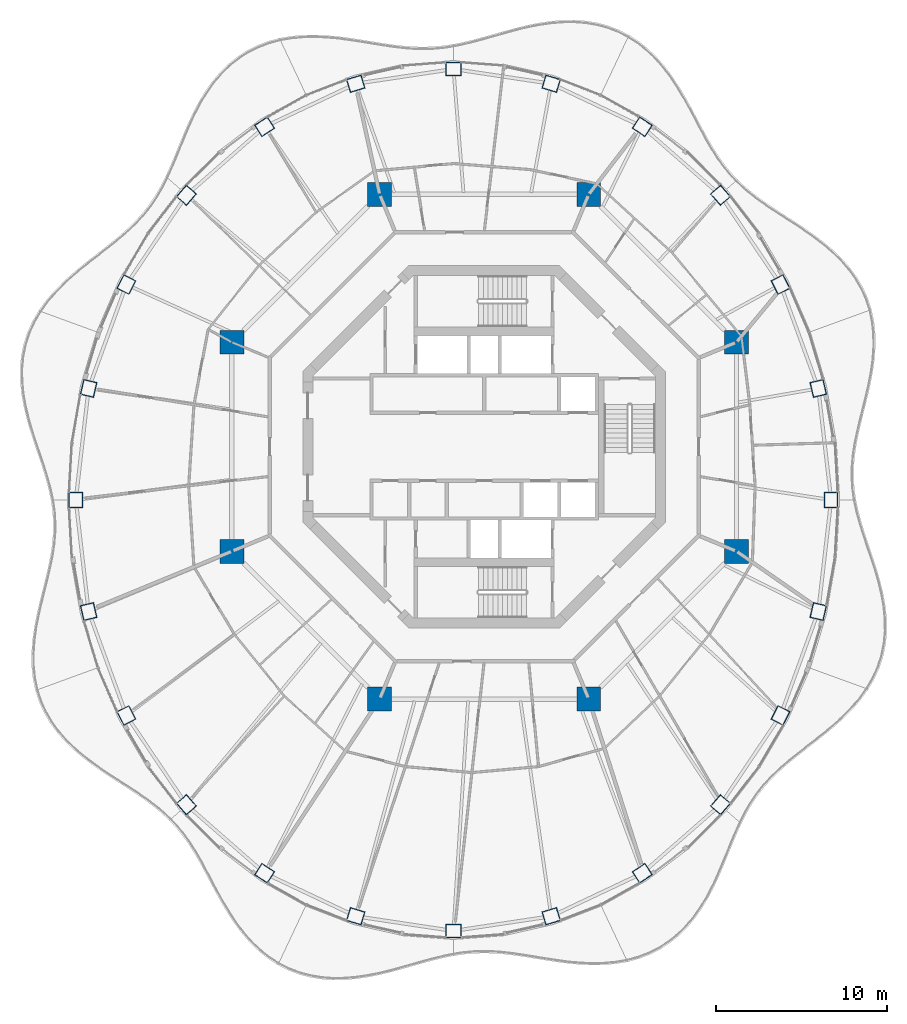
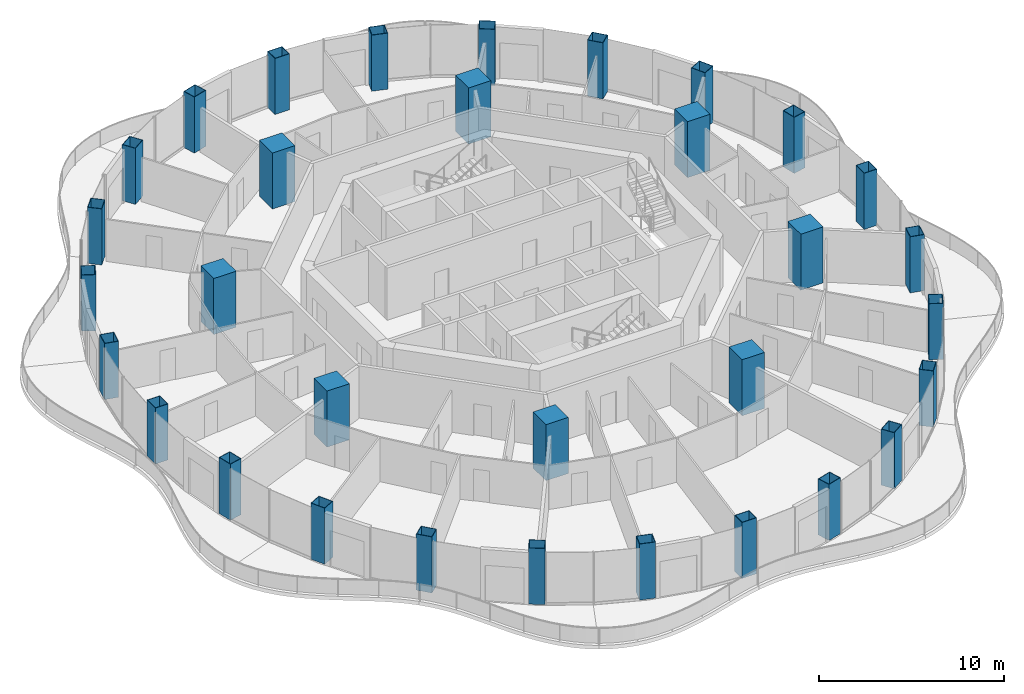
# One storey, part 1 of 17: 32 columns.
"""IFC4 building model written with IfcOpenShell, lengths in metres."""

from ifc_helpers import new_model, si_unit, direction, frame, origin, origin_2d, place, context, subcontext, project, spatial, rectangle, hollow_rectangle, extrude, material, material_profile, profile_set, type_object, element, save


model = new_model("IFC4")

# Units and contexts
model_context = context("Model", 3, precision=1e-05, world=origin(), true_north=direction((0.0, 1.0)))
body_context = subcontext(model_context, "Body", "Model", "MODEL_VIEW")
ifc_project = project(units=[si_unit("LENGTHUNIT", "METRE"), si_unit("AREAUNIT", "SQUARE_METRE"), si_unit("VOLUMEUNIT", "CUBIC_METRE"), si_unit("PLANEANGLEUNIT", "RADIAN"), si_unit("MASSUNIT", "GRAM", prefix="KILO")], contexts=[model_context])

# Site, building, storey
site_placement = place(None, origin())
site = spatial("IfcSite", under=ifc_project, at=site_placement, CompositionType="ELEMENT")
building_placement = place(site_placement, origin())
building = spatial("IfcBuilding", under=site, at=building_placement, Name="Nagisa Residences", CompositionType="ELEMENT")
storey_placement = place(building_placement, frame((0.0, 0.0, 288.10009765625)))
storey = spatial("IfcBuildingStorey", under=building, at=storey_placement, Name="L73", CompositionType="ELEMENT", Elevation=288.10009765625)

# Columns
ifc_material_1 = material(Name="Concrete C80", Category="concrete")
ifc_material_profile_1 = material_profile(ifc_material_1, rectangle(XDim=1.39990234375, YDim=1.39990234375, at=origin_2d()), Name="C80 1400x1400")
ifc_profile_set_1 = profile_set([ifc_material_profile_1], Name="Concrete C80")
column_type_1 = type_object("IfcColumnType", Name="Inner megacolumn C80 1400x1400", PredefinedType="COLUMN", material=ifc_profile_set_1)
for number, where, z_axis, x_axis, name in (
    (1, (14.781982421875, 6.123046875, 0.0), (0.0, 0.0, 1.0), (1.0, 0.0, 0.0), "col:L73:i1"),
    (2, (6.123046875, 14.781982421875, 0.0), (0.0, 0.0, 1.0), (1.0, 0.0, 0.0), "col:L73:i2"),
    (3, (-6.123046875, 14.781982421875, 0.0), (0.0, 0.0, 1.0), (1.0, 0.0, 0.0), "col:L73:i3"),
    (4, (-14.781982421875, 6.123046875, 0.0), (0.0, 0.0, 1.0), (1.0, 0.0, 0.0), "col:L73:i4"),
    (5, (-14.781982421875, -6.123046875, 0.0), (0.0, 0.0, 1.0), (1.0, 0.0, 0.0), "col:L73:i5"),
    (6, (-6.123046875, -14.781982421875, 0.0), (0.0, 0.0, 1.0), (1.0, 0.0, 0.0), "col:L73:i6"),
    (7, (6.123046875, -14.781982421875, 0.0), (0.0, 0.0, 1.0), (1.0, 0.0, 0.0), "col:L73:i7"),
    (8, (14.781982421875, -6.123046875, 0.0), (0.0, 0.0, 1.0), (1.0, 0.0, 0.0), "col:L73:i8"),
):
    element("IfcColumn", number, at=place(storey_placement, frame(where, z_axis=z_axis, x_axis=x_axis)), inside=storey, type_object=column_type_1, Name=name, PredefinedType="COLUMN", context=body_context, shape_type="SweptSolid", body=[
        extrude(rectangle(XDim=1.39990234375, YDim=1.39990234375, at=origin_2d()), origin(), (0.0, 0.0, 1.0), 3.699951171875),
    ])
ifc_material_2 = material(Name="Steel ASTM A572 Gr 50", Category="steel")
ifc_material_profile_2 = material_profile(ifc_material_2, hollow_rectangle(XDim=0.89990234375, YDim=0.800048828125, WallThickness=0.028076171875, at=origin_2d()), Name="BX 900x800x28")
ifc_profile_set_2 = profile_set([ifc_material_profile_2], Name="Steel ASTM A572 Gr 50")
column_type_2 = type_object("IfcColumnType", Name="Perimeter column BX 900x800x28", PredefinedType="COLUMN", material=ifc_profile_set_2)
for number, where, z_axis, x_axis, name in (
    (9, (20.320068359375, -3.11767578125, 0.0), (0.0, 0.0, 1.0), (0.0, 1.0, 0.0), "col:L73:p00"),
    (10, (19.566162109375, 3.414794921875, 0.0), (0.0, 0.0, 1.0), (-0.229202013103, 0.973378876486, 0.0), "col:L73:p01"),
    (11, (17.3564453125, 9.502197265625, 0.0), (0.0, 0.0, 1.0), (-0.452462697578, 0.891783329795, 0.0), "col:L73:p02"),
    (12, (13.84130859375, 14.729736328125, 0.0), (0.0, 0.0, 1.0), (-0.660114607735, 0.751164898445, 0.0), "col:L73:p03"),
    (13, (9.260009765625, 18.74072265625, 0.0), (0.0, 0.0, 1.0), (-0.835766105673, 0.54908561865, 0.0), "col:L73:p04"),
    (14, (3.925048828125, 21.26220703125, 0.0), (0.0, 0.0, 1.0), (-0.956524583408, 0.291651712384, 0.0), "col:L73:p05"),
    (15, (-1.800048828125, 22.122314453125, 0.0), (0.0, 0.0, 1.0), (-1.0, 0.0, 0.0), "col:L73:p06"),
    (16, (-7.525146484375, 21.26220703125, 0.0), (0.0, 0.0, 1.0), (-0.956524583408, -0.291651712384, 0.0), "col:L73:p07"),
    (17, (-12.860107421875, 18.74072265625, 0.0), (0.0, 0.0, 1.0), (-0.835766105673, -0.54908561865, 0.0), "col:L73:p08"),
    (18, (-17.441162109375, 14.729736328125, 0.0), (0.0, 0.0, 1.0), (-0.660114607735, -0.751164898445, 0.0), "col:L73:p09"),
    (19, (-20.95654296875, 9.502197265625, 0.0), (0.0, 0.0, 1.0), (-0.452462697578, -0.891783329795, 0.0), "col:L73:p10"),
    (20, (-23.166259765625, 3.414794921875, 0.0), (0.0, 0.0, 1.0), (-0.229202013103, -0.973378876486, 0.0), "col:L73:p11"),
    (21, (-23.919921875, -3.11767578125, 0.0), (0.0, 0.0, 1.0), (0.0, -1.0, 0.0), "col:L73:p12"),
    (22, (-23.166259765625, -9.650390625, 0.0), (0.0, 0.0, 1.0), (0.229202013103, -0.973378876486, 0.0), "col:L73:p13"),
    (23, (-20.95654296875, -15.73779296875, 0.0), (0.0, 0.0, 1.0), (0.452462697578, -0.891783329795, 0.0), "col:L73:p14"),
    (24, (-17.441162109375, -20.965087890625, 0.0), (0.0, 0.0, 1.0), (0.660114607735, -0.751164898445, 0.0), "col:L73:p15"),
    (25, (-12.860107421875, -24.97607421875, 0.0), (0.0, 0.0, 1.0), (0.835766105673, -0.54908561865, 0.0), "col:L73:p16"),
    (26, (-7.525146484375, -27.49755859375, 0.0), (0.0, 0.0, 1.0), (0.956524583408, -0.291651712384, 0.0), "col:L73:p17"),
    (27, (-1.800048828125, -28.357666015625, 0.0), (0.0, 0.0, 1.0), (1.0, 0.0, 0.0), "col:L73:p18"),
    (28, (3.925048828125, -27.49755859375, 0.0), (0.0, 0.0, 1.0), (0.956524583408, 0.291651712384, 0.0), "col:L73:p19"),
    (29, (9.260009765625, -24.97607421875, 0.0), (0.0, 0.0, 1.0), (0.835766105673, 0.54908561865, 0.0), "col:L73:p20"),
    (30, (13.84130859375, -20.965087890625, 0.0), (0.0, 0.0, 1.0), (0.660114607735, 0.751164898445, 0.0), "col:L73:p21"),
    (31, (17.3564453125, -15.73779296875, 0.0), (0.0, 0.0, 1.0), (0.452462697578, 0.891783329795, 0.0), "col:L73:p22"),
    (32, (19.566162109375, -9.650390625, 0.0), (0.0, 0.0, 1.0), (0.229202013103, 0.973378876486, 0.0), "col:L73:p23"),
):
    element("IfcColumn", number, at=place(storey_placement, frame(where, z_axis=z_axis, x_axis=x_axis)), inside=storey, type_object=column_type_2, Name=name, PredefinedType="COLUMN", context=body_context, shape_type="SweptSolid", body=[
        extrude(hollow_rectangle(XDim=0.89990234375, YDim=0.800048828125, WallThickness=0.028076171875, at=origin_2d()), origin(), (0.0, 0.0, 1.0), 3.699951171875),
    ])

save(model, "model.ifc")
